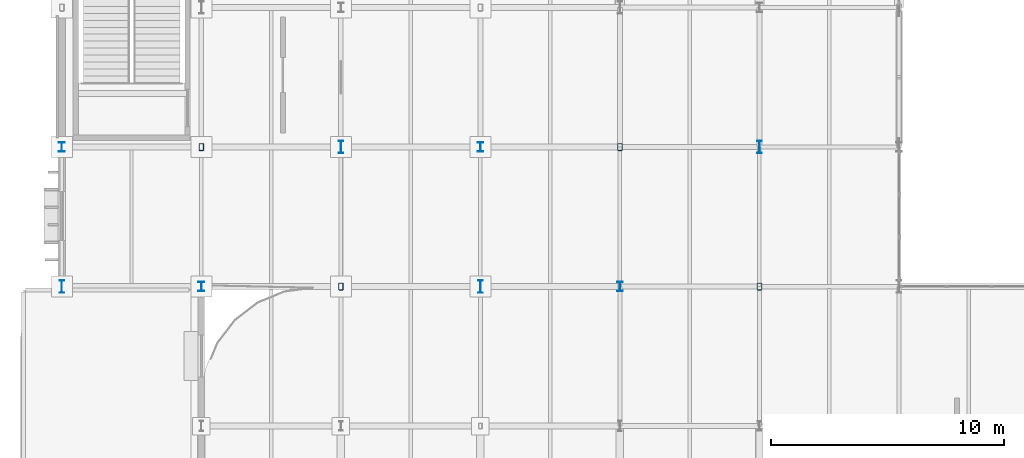
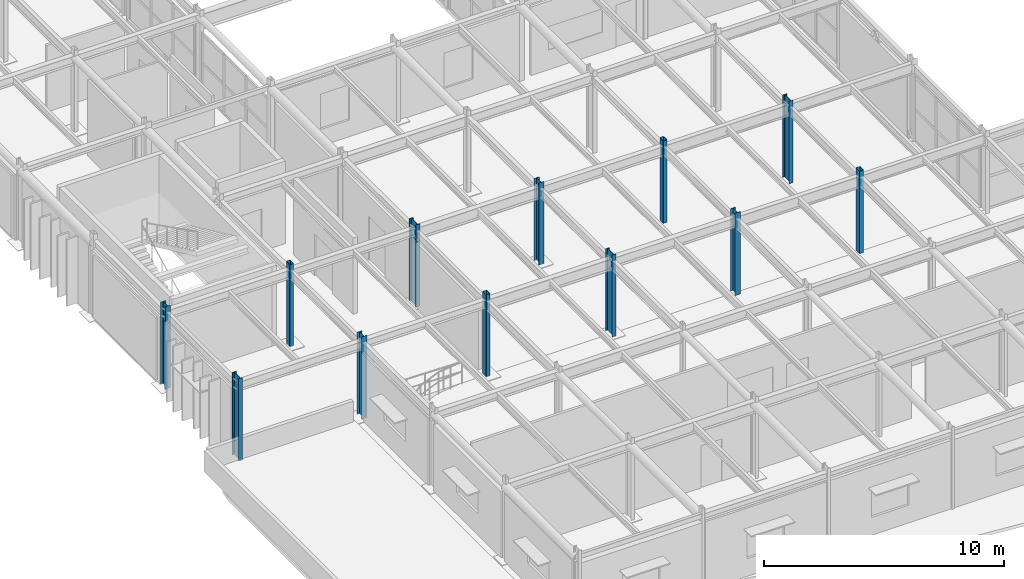
# One storey, part 2 of 116: 12 columns.
"""IFC4 building model written with IfcOpenShell, lengths in metres."""

from ifc_helpers import new_model, si_unit, direction, frame, origin, origin_2d, place, context, subcontext, project, spatial, hollow_rectangle, i_section, extrude, material, material_profile, profile_set, type_object, element, save


model = new_model("IFC4")

# Units and contexts
model_context = context("Model", 3, precision=1e-05, world=origin(), true_north=direction((0.0, 1.0)))
body_context = subcontext(model_context, "Body", "Model", "MODEL_VIEW")
ifc_project = project(units=[si_unit("LENGTHUNIT", "METRE"), si_unit("AREAUNIT", "SQUARE_METRE"), si_unit("VOLUMEUNIT", "CUBIC_METRE"), si_unit("PLANEANGLEUNIT", "RADIAN"), si_unit("MASSUNIT", "GRAM", prefix="KILO")], contexts=[model_context])

# Site, building, storey
site_placement = place(None, origin())
site = spatial("IfcSite", under=ifc_project, at=site_placement, CompositionType="ELEMENT")
building_placement = place(site_placement, origin())
building = spatial("IfcBuilding", under=site, at=building_placement, Name="Varnakota Square Police Headquarters", CompositionType="ELEMENT")
storey_placement = place(building_placement, frame((0.0, 0.0, 9.300048828125)))
storey = spatial("IfcBuildingStorey", under=building, at=storey_placement, Name="L02", CompositionType="ELEMENT", Elevation=9.300048828125)

# Columns
ifc_material = material(Name="Steel IS 2062 Grade 350", Category="steel")
ifc_material_profile_1 = material_profile(ifc_material, i_section(OverallWidth=0.25, OverallDepth=0.39990234375, WebThickness=0.010498046875, FlangeThickness=0.0126953125, FilletRadius=0.013916015625, at=origin_2d()), Name="ISHB 400")
ifc_profile_set_1 = profile_set([ifc_material_profile_1], Name="Steel IS 2062 Grade 350")
column_type_1 = type_object("IfcColumnType", Name="COL-ISHB400", PredefinedType="COLUMN", material=ifc_profile_set_1)
for number, where, z_axis, x_axis, name in (
    (1, (6.0, 27.0, 0.0), (0.0, 0.0, 1.0), (1.0, 0.0, 0.0), "Column X0060-Y0270 L02"),
    (2, (12.0, 21.0, 0.0), (0.0, 0.0, 1.0), (1.0, 0.0, 0.0), "Column X0120-Y0210 L02"),
    (3, (24.0, 27.0, 0.0), (0.0, 0.0, 1.0), (1.0, 0.0, 0.0), "Column X0240-Y0270 L02"),
    (4, (30.0, 21.0, 0.0), (0.0, 0.0, 1.0), (1.0, 0.0, 0.0), "Column X0300-Y0210 L02"),
):
    element("IfcColumn", number, at=place(storey_placement, frame(where, z_axis=z_axis, x_axis=x_axis)), inside=storey, type_object=column_type_1, Name=name, PredefinedType="COLUMN", context=body_context, shape_type="SweptSolid", body=[
        extrude(i_section(OverallWidth=0.25, OverallDepth=0.39990234375, WebThickness=0.010498046875, FlangeThickness=0.0126953125, FilletRadius=0.013916015625, at=origin_2d()), origin(), (0.0, 0.0, 1.0), 4.199951171875),
    ])
ifc_material_profile_2 = material_profile(ifc_material, i_section(OverallWidth=0.18994140625, OverallDepth=0.550048828125, WebThickness=0.01123046875, FlangeThickness=0.019287109375, FilletRadius=0.01806640625, at=origin_2d()), Name="ISMB 550")
ifc_profile_set_2 = profile_set([ifc_material_profile_2], Name="Steel IS 2062 Grade 350")
column_type_2 = type_object("IfcColumnType", Name="COL-ISMB550", PredefinedType="COLUMN", material=ifc_profile_set_2)
for number, where, z_axis, x_axis, name in (
    (5, (6.0, 21.0, 0.0), (0.0, 0.0, 1.0), (1.0, 0.0, 0.0), "Column X0060-Y0210 L02"),
    (6, (18.0, 27.0, 0.0), (0.0, 0.0, 1.0), (1.0, 0.0, 0.0), "Column X0180-Y0270 L02"),
    (7, (24.0, 21.0, 0.0), (0.0, 0.0, 1.0), (1.0, 0.0, 0.0), "Column X0240-Y0210 L02"),
    (8, (36.0, 27.0, 0.0), (0.0, 0.0, 1.0), (1.0, 0.0, 0.0), "Column X0360-Y0270 L02"),
):
    element("IfcColumn", number, at=place(storey_placement, frame(where, z_axis=z_axis, x_axis=x_axis)), inside=storey, type_object=column_type_2, Name=name, PredefinedType="COLUMN", context=body_context, shape_type="SweptSolid", body=[
        extrude(i_section(OverallWidth=0.18994140625, OverallDepth=0.550048828125, WebThickness=0.01123046875, FlangeThickness=0.019287109375, FilletRadius=0.01806640625, at=origin_2d()), origin(), (0.0, 0.0, 1.0), 4.199951171875),
    ])
ifc_material_profile_3 = material_profile(ifc_material, hollow_rectangle(XDim=0.199951171875, YDim=0.300048828125, WallThickness=0.011962890625, InnerFilletRadius=0.011962890625, OuterFilletRadius=0.02392578125, at=origin_2d()), Name="RHS 300x200x12")
ifc_profile_set_3 = profile_set([ifc_material_profile_3], Name="Steel IS 2062 Grade 350")
column_type_3 = type_object("IfcColumnType", Name="COL-RHS300", PredefinedType="COLUMN", material=ifc_profile_set_3)
for number, where, z_axis, x_axis, name in (
    (9, (12.0, 27.0, 0.0), (0.0, 0.0, 1.0), (1.0, 0.0, 0.0), "Column X0120-Y0270 L02"),
    (10, (18.0, 21.0, 0.0), (0.0, 0.0, 1.0), (1.0, 0.0, 0.0), "Column X0180-Y0210 L02"),
    (11, (30.0, 27.0, 0.0), (0.0, 0.0, 1.0), (1.0, 0.0, 0.0), "Column X0300-Y0270 L02"),
    (12, (36.0, 21.0, 0.0), (0.0, 0.0, 1.0), (1.0, 0.0, 0.0), "Column X0360-Y0210 L02"),
):
    element("IfcColumn", number, at=place(storey_placement, frame(where, z_axis=z_axis, x_axis=x_axis)), inside=storey, type_object=column_type_3, Name=name, PredefinedType="COLUMN", context=body_context, shape_type="SweptSolid", body=[
        extrude(hollow_rectangle(XDim=0.199951171875, YDim=0.300048828125, WallThickness=0.011962890625, InnerFilletRadius=0.011962890625, OuterFilletRadius=0.02392578125, at=origin_2d()), origin(), (0.0, 0.0, 1.0), 4.199951171875),
    ])

save(model, "model.ifc")
